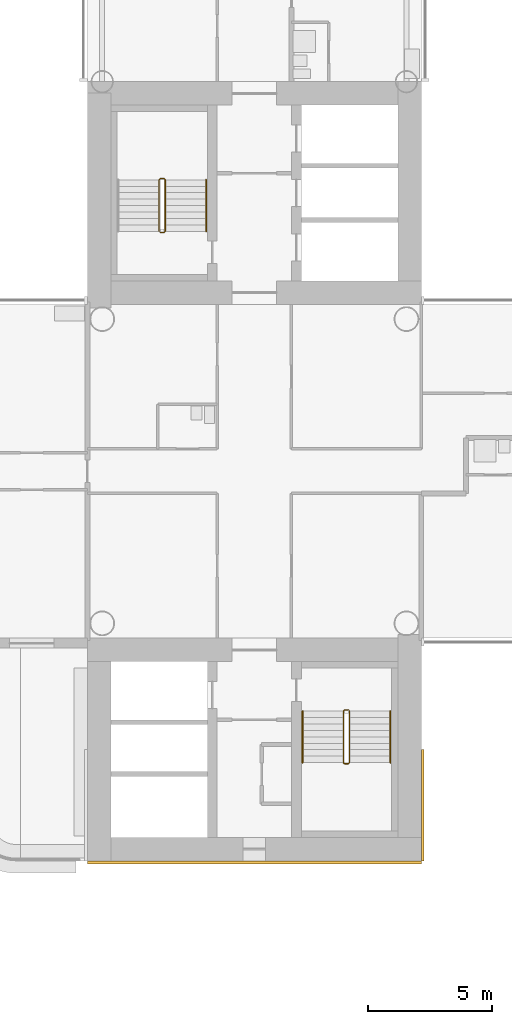
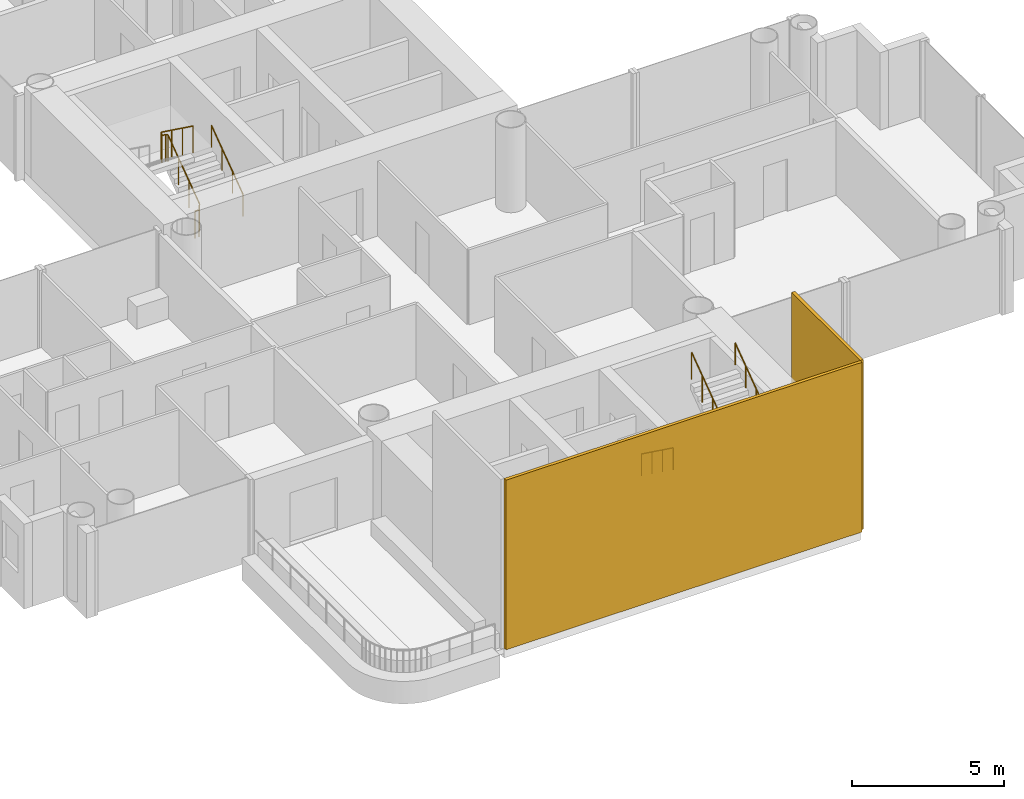
# One storey, part 21 of 22: 5 railings, 2 coverings.
"""IFC4 building model written with IfcOpenShell, lengths in metres."""

from ifc_helpers import new_model, si_unit, direction, frame, origin, origin_2d, place, context, subcontext, project, spatial, rectangle, circle, extrude, material, layer, layer_set, type_object, element, save


model = new_model("IFC4")

# Units and contexts
model_context = context("Model", 3, precision=1e-05, world=origin(), true_north=direction((0.0, 1.0)))
body_context = subcontext(model_context, "Body", "Model", "MODEL_VIEW")
ifc_project = project(units=[si_unit("LENGTHUNIT", "METRE"), si_unit("AREAUNIT", "SQUARE_METRE"), si_unit("VOLUMEUNIT", "CUBIC_METRE"), si_unit("PLANEANGLEUNIT", "RADIAN"), si_unit("MASSUNIT", "GRAM", prefix="KILO")], contexts=[model_context])

# Site, building, storey
site_placement = place(None, origin())
site = spatial("IfcSite", under=ifc_project, at=site_placement, CompositionType="ELEMENT")
building_placement = place(site_placement, origin())
building = spatial("IfcBuilding", under=site, at=building_placement, Name="Ipe Terrace Towers", CompositionType="ELEMENT")
storey_placement = place(building_placement, frame((0.0, 0.0, 110.60009765625)))
storey = spatial("IfcBuildingStorey", under=building, at=storey_placement, Name="L30", CompositionType="ELEMENT", Elevation=110.60009765625)

# Coverings
ifc_material_1 = material(Name="Concrete C50/60 precast, buff finish", Category="concrete")
ifc_layer = layer(ifc_material_1, 0.1201171875)
ifc_layer_set = layer_set([ifc_layer], Name="STONE CORE CLADDING 120")
covering_type = type_object("IfcCoveringType", Name="STONE CORE CLADDING 120", PredefinedType="CLADDING", material=ifc_layer_set)
covering_1_placement = place(storey_placement, frame((36.0, -15.81005859375, 0.0), z_axis=(0.0, 0.0, 1.0), x_axis=(1.0, 0.0, 0.0)))
element("IfcCovering", 1, at=covering_1_placement, inside=storey, type_object=covering_type, Name="stone core cladding", PredefinedType="CLADDING", context=body_context, shape_type="SweptSolid", body=[
    extrude(rectangle(XDim=13.5, YDim=0.1201171875, at=origin_2d()), origin(), (0.0, 0.0, 1.0), 6.800048828125),
])
covering_2_placement = place(storey_placement, frame((42.81005859375, -13.5, 0.0), z_axis=(0.0, 0.0, 1.0), x_axis=(0.0, 1.0, 0.0)))
element("IfcCovering", 2, at=covering_2_placement, inside=storey, type_object=covering_type, Name="stone core cladding", PredefinedType="CLADDING", context=body_context, shape_type="SweptSolid", body=[
    extrude(rectangle(XDim=4.5, YDim=0.1201171875, at=origin_2d()), origin(), (0.0, 0.0, 1.0), 6.800048828125),
])

# Railings
ifc_material_2 = material(Name="Steel S355", Category="steel")
railing_type_1 = type_object("IfcRailingType", Name="Stair guard 1100", PredefinedType="GUARDRAIL", material=ifc_material_2)
railing_1_placement = place(storey_placement, frame((32.199951171875, 9.64990234375, 0.0)))
element("IfcRailing", 3, at=railing_1_placement, inside=storey, type_object=railing_type_1, Name="L30 T2-ST1 stair guard 1", PredefinedType="GUARDRAIL", context=body_context, shape_type="SweptSolid", body=[
    extrude(circle(Radius=0.02392578125, at=origin_2d()), frame((0.0, 0.0, 1.076171875), z_axis=(1.0, 0.0, 0.0), x_axis=(0.0, 1.0, 0.0)), (0.0, 0.0, 1.0), 0.150146484375),
    extrude(circle(Radius=0.02392578125, at=origin_2d()), frame((0.150146484375, 0.0, 1.076171875), z_axis=(0.247173786771, 0.248385422981, 0.936594790069), x_axis=(-0.708833529934, 0.705375805398, 0.0)), (0.0, 0.0, 1.0), 0.201416015625),
    extrude(circle(Radius=0.02392578125, at=origin_2d()), frame((0.199951171875, 0.050048828125, 1.2646484375), z_axis=(0.0, 0.809023421508, 0.587776406001), x_axis=(-1.0, 0.0, 0.0)), (0.0, 0.0, 1.0), 2.571044921875),
    extrude(circle(Radius=0.02392578125, at=origin_2d()), frame((0.199951171875, 2.130126953125, 2.77587890625), z_axis=(-0.705375805398, 0.708833529934, 0.0), x_axis=(-0.708833529934, -0.705375805398, 0.0)), (0.0, 0.0, 1.0), 0.070556640625),
    extrude(circle(Radius=0.02392578125, at=origin_2d()), frame((0.150146484375, 2.18017578125, 2.77587890625), z_axis=(-1.0, 0.0, 0.0), x_axis=(0.0, -1.0, 0.0)), (0.0, 0.0, 1.0), 0.150146484375),
    extrude(circle(Radius=0.02392578125, at=origin_2d()), frame((0.0, 2.18017578125, 2.77587890625), z_axis=(-0.248310886586, -0.248310886586, 0.936313733321), x_axis=(0.707106781187, -0.707106781187, 0.0)), (0.0, 0.0, 1.0), 0.20166015625),
    extrude(circle(Radius=0.02392578125, at=origin_2d()), frame((-0.050048828125, 2.130126953125, 2.96484375), z_axis=(0.0, -0.809023421508, 0.587776406001), x_axis=(1.0, 0.0, 0.0)), (0.0, 0.0, 1.0), 2.571044921875),
    extrude(circle(Radius=0.02099609375, at=origin_2d()), origin(), (0.0, 0.0, 1.0), 1.052001953125),
    extrude(circle(Radius=0.02099609375, at=origin_2d()), frame((0.150146484375, 0.0, 0.0)), (0.0, 0.0, 1.0), 1.052001953125),
    extrude(circle(Radius=0.02099609375, at=origin_2d()), frame((0.199951171875, 0.050048828125, 0.188720703125)), (0.0, 0.0, 1.0), 1.052001953125),
    extrude(circle(Radius=0.02099609375, at=origin_2d()), frame((0.199951171875, 0.743408203125, 0.6923828125)), (0.0, 0.0, 1.0), 1.052001953125),
    extrude(circle(Radius=0.02099609375, at=origin_2d()), frame((0.199951171875, 1.436767578125, 1.1962890625)), (0.0, 0.0, 1.0), 1.052001953125),
    extrude(circle(Radius=0.02099609375, at=origin_2d()), frame((0.199951171875, 2.130126953125, 1.699951171875)), (0.0, 0.0, 1.0), 1.052001953125),
    extrude(circle(Radius=0.02099609375, at=origin_2d()), frame((0.150146484375, 2.18017578125, 1.699951171875)), (0.0, 0.0, 1.0), 1.052001953125),
    extrude(circle(Radius=0.02099609375, at=origin_2d()), frame((0.0, 2.18017578125, 1.699951171875)), (0.0, 0.0, 1.0), 1.052001953125),
    extrude(circle(Radius=0.02099609375, at=origin_2d()), frame((-0.050048828125, 2.130126953125, 1.888671875)), (0.0, 0.0, 1.0), 1.052001953125),
    extrude(circle(Radius=0.02099609375, at=origin_2d()), frame((-0.050048828125, 1.436767578125, 2.392333984375)), (0.0, 0.0, 1.0), 1.052001953125),
    extrude(circle(Radius=0.02099609375, at=origin_2d()), frame((-0.050048828125, 0.743408203125, 2.896240234375)), (0.0, 0.0, 1.0), 1.052001953125),
    extrude(circle(Radius=0.02099609375, at=origin_2d()), frame((-0.050048828125, 0.050048828125, 3.39990234375)), (0.0, 0.0, 1.0), 1.052001953125),
])
railing_2_placement = place(storey_placement, frame((39.800048828125, -9.64990234375, 0.0)))
element("IfcRailing", 4, at=railing_2_placement, inside=storey, type_object=railing_type_1, Name="L30 T2-ST2 stair guard 1", PredefinedType="GUARDRAIL", context=body_context, shape_type="SweptSolid", body=[
    extrude(circle(Radius=0.02392578125, at=origin_2d()), frame((0.0, 0.0, 1.076171875), z_axis=(-1.0, 0.0, 0.0), x_axis=(0.0, -1.0, 0.0)), (0.0, 0.0, 1.0), 0.150146484375),
    extrude(circle(Radius=0.02392578125, at=origin_2d()), frame((-0.150146484375, 0.0, 1.076171875), z_axis=(-0.247173786771, -0.248385422981, 0.936594790069), x_axis=(0.708833529934, -0.705375805398, 0.0)), (0.0, 0.0, 1.0), 0.201416015625),
    extrude(circle(Radius=0.02392578125, at=origin_2d()), frame((-0.199951171875, -0.050048828125, 1.2646484375), z_axis=(0.0, -0.809023421508, 0.587776406001), x_axis=(1.0, 0.0, 0.0)), (0.0, 0.0, 1.0), 2.571044921875),
    extrude(circle(Radius=0.02392578125, at=origin_2d()), frame((-0.199951171875, -2.130126953125, 2.77587890625), z_axis=(0.705375805398, -0.708833529934, 0.0), x_axis=(0.708833529934, 0.705375805398, 0.0)), (0.0, 0.0, 1.0), 0.070556640625),
    extrude(circle(Radius=0.02392578125, at=origin_2d()), frame((-0.150146484375, -2.18017578125, 2.77587890625), z_axis=(1.0, 0.0, 0.0), x_axis=(0.0, 1.0, 0.0)), (0.0, 0.0, 1.0), 0.150146484375),
    extrude(circle(Radius=0.02392578125, at=origin_2d()), frame((0.0, -2.18017578125, 2.77587890625), z_axis=(0.248310886586, 0.248310886586, 0.936313733321), x_axis=(-0.707106781187, 0.707106781187, 0.0)), (0.0, 0.0, 1.0), 0.20166015625),
    extrude(circle(Radius=0.02392578125, at=origin_2d()), frame((0.050048828125, -2.130126953125, 2.96484375), z_axis=(0.0, 0.809023421508, 0.587776406001), x_axis=(-1.0, 0.0, 0.0)), (0.0, 0.0, 1.0), 2.571044921875),
    extrude(circle(Radius=0.02099609375, at=origin_2d()), origin(), (0.0, 0.0, 1.0), 1.052001953125),
    extrude(circle(Radius=0.02099609375, at=origin_2d()), frame((-0.150146484375, 0.0, 0.0)), (0.0, 0.0, 1.0), 1.052001953125),
    extrude(circle(Radius=0.02099609375, at=origin_2d()), frame((-0.199951171875, -0.050048828125, 0.188720703125)), (0.0, 0.0, 1.0), 1.052001953125),
    extrude(circle(Radius=0.02099609375, at=origin_2d()), frame((-0.199951171875, -0.743408203125, 0.6923828125)), (0.0, 0.0, 1.0), 1.052001953125),
    extrude(circle(Radius=0.02099609375, at=origin_2d()), frame((-0.199951171875, -1.436767578125, 1.1962890625)), (0.0, 0.0, 1.0), 1.052001953125),
    extrude(circle(Radius=0.02099609375, at=origin_2d()), frame((-0.199951171875, -2.130126953125, 1.699951171875)), (0.0, 0.0, 1.0), 1.052001953125),
    extrude(circle(Radius=0.02099609375, at=origin_2d()), frame((-0.150146484375, -2.18017578125, 1.699951171875)), (0.0, 0.0, 1.0), 1.052001953125),
    extrude(circle(Radius=0.02099609375, at=origin_2d()), frame((0.0, -2.18017578125, 1.699951171875)), (0.0, 0.0, 1.0), 1.052001953125),
    extrude(circle(Radius=0.02099609375, at=origin_2d()), frame((0.050048828125, -2.130126953125, 1.888671875)), (0.0, 0.0, 1.0), 1.052001953125),
    extrude(circle(Radius=0.02099609375, at=origin_2d()), frame((0.050048828125, -1.436767578125, 2.392333984375)), (0.0, 0.0, 1.0), 1.052001953125),
    extrude(circle(Radius=0.02099609375, at=origin_2d()), frame((0.050048828125, -0.743408203125, 2.896240234375)), (0.0, 0.0, 1.0), 1.052001953125),
    extrude(circle(Radius=0.02099609375, at=origin_2d()), frame((0.050048828125, -0.050048828125, 3.39990234375)), (0.0, 0.0, 1.0), 1.052001953125),
])
ifc_material_3 = material(Name="Stainless steel grade 304", Category="steel")
railing_type_2 = type_object("IfcRailingType", Name="Stair handrail 900", PredefinedType="HANDRAIL", material=ifc_material_3)
railing_3_placement = place(storey_placement, frame((34.050048828125, 9.699951171875, 0.188720703125)))
element("IfcRailing", 5, at=railing_3_placement, inside=storey, type_object=railing_type_2, Name="L30 T2-ST1 stair handrail 1", PredefinedType="HANDRAIL", context=body_context, shape_type="SweptSolid", body=[
    extrude(circle(Radius=0.02392578125, at=origin_2d()), frame((0.0, 0.0, 0.8759765625), z_axis=(0.0, 0.809023421508, 0.587776406001), x_axis=(-1.0, 0.0, 0.0)), (0.0, 0.0, 1.0), 2.571044921875),
    extrude(circle(Radius=0.02099609375, at=origin_2d()), origin(), (0.0, 0.0, 1.0), 0.851806640625),
    extrude(circle(Radius=0.02099609375, at=origin_2d()), frame((0.0, 0.693359375, 0.503662109375)), (0.0, 0.0, 1.0), 0.851806640625),
    extrude(circle(Radius=0.02099609375, at=origin_2d()), frame((0.0, 1.38671875, 1.007568359375)), (0.0, 0.0, 1.0), 0.851806640625),
    extrude(circle(Radius=0.02099609375, at=origin_2d()), frame((0.0, 2.080078125, 1.51123046875)), (0.0, 0.0, 1.0), 0.851806640625),
])
railing_4_placement = place(storey_placement, frame((37.949951171875, -9.699951171875, 0.188720703125)))
element("IfcRailing", 6, at=railing_4_placement, inside=storey, type_object=railing_type_2, Name="L30 T2-ST2 stair handrail 1", PredefinedType="HANDRAIL", context=body_context, shape_type="SweptSolid", body=[
    extrude(circle(Radius=0.02392578125, at=origin_2d()), frame((0.0, 0.0, 0.8759765625), z_axis=(0.0, -0.809023421508, 0.587776406001), x_axis=(1.0, 0.0, 0.0)), (0.0, 0.0, 1.0), 2.571044921875),
    extrude(circle(Radius=0.02099609375, at=origin_2d()), origin(), (0.0, 0.0, 1.0), 0.851806640625),
    extrude(circle(Radius=0.02099609375, at=origin_2d()), frame((0.0, -0.693359375, 0.503662109375)), (0.0, 0.0, 1.0), 0.851806640625),
    extrude(circle(Radius=0.02099609375, at=origin_2d()), frame((0.0, -1.38671875, 1.007568359375)), (0.0, 0.0, 1.0), 0.851806640625),
    extrude(circle(Radius=0.02099609375, at=origin_2d()), frame((0.0, -2.080078125, 1.51123046875)), (0.0, 0.0, 1.0), 0.851806640625),
])
railing_5_placement = place(storey_placement, frame((41.5, -11.780029296875, 1.888671875)))
element("IfcRailing", 7, at=railing_5_placement, inside=storey, type_object=railing_type_2, Name="L30 T2-ST2 stair handrail 2", PredefinedType="HANDRAIL", context=body_context, shape_type="SweptSolid", body=[
    extrude(circle(Radius=0.02392578125, at=origin_2d()), frame((0.0, 0.0, 0.8759765625), z_axis=(0.0, 0.809023421508, 0.587776406001), x_axis=(-1.0, 0.0, 0.0)), (0.0, 0.0, 1.0), 2.571044921875),
    extrude(circle(Radius=0.02099609375, at=origin_2d()), origin(), (0.0, 0.0, 1.0), 0.851806640625),
    extrude(circle(Radius=0.02099609375, at=origin_2d()), frame((0.0, 0.693359375, 0.503662109375)), (0.0, 0.0, 1.0), 0.851806640625),
    extrude(circle(Radius=0.02099609375, at=origin_2d()), frame((0.0, 1.38671875, 1.007568359375)), (0.0, 0.0, 1.0), 0.851806640625),
    extrude(circle(Radius=0.02099609375, at=origin_2d()), frame((0.0, 2.080078125, 1.51123046875)), (0.0, 0.0, 1.0), 0.851806640625),
])

save(model, "model.ifc")
